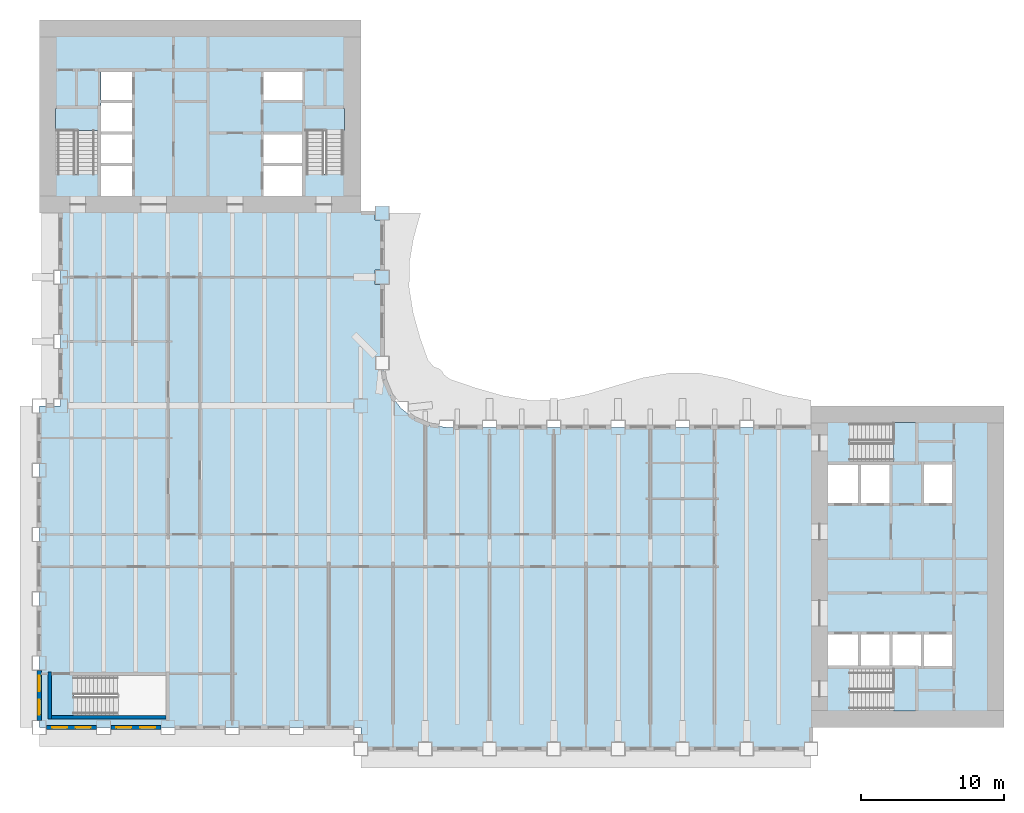
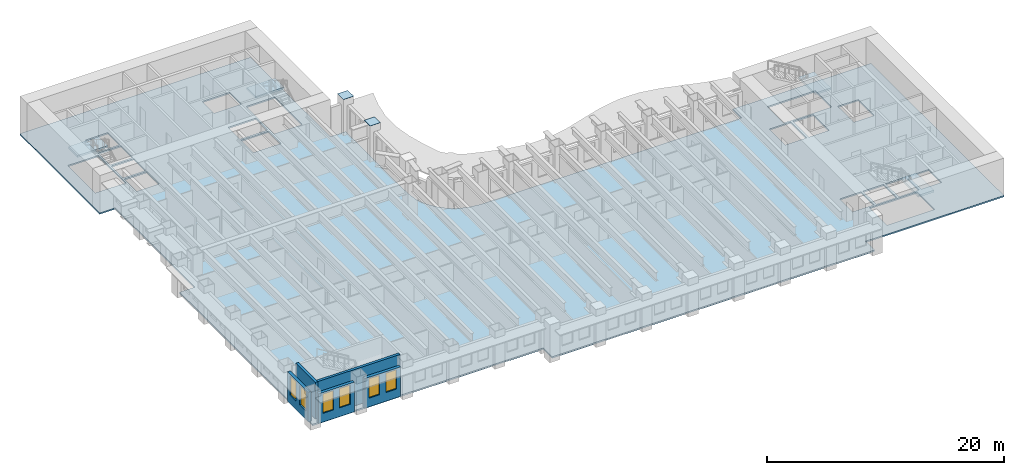
# One storey, part 2 of 16: 6 windows, 5 slabs, 5 walls, 2 plates, 6 openings, 4 elements without a shape of their own.
"""IFC4 building model written with IfcOpenShell, lengths in metres."""

from ifc_helpers import new_model, si_unit, direction, frame, frame_2d, origin, origin_2d, place, context, subcontext, project, spatial, polyline, rectangle, outline, extrude, material, layer, layer_set, type_object, element, fill, aggregate, save


model = new_model("IFC4")

# Units and contexts
model_context = context("Model", 3, precision=1e-05, world=origin(), true_north=direction((0.0, 1.0)))
body_context = subcontext(model_context, "Body", "Model", "MODEL_VIEW")
ifc_project = project(units=[si_unit("LENGTHUNIT", "METRE"), si_unit("AREAUNIT", "SQUARE_METRE"), si_unit("VOLUMEUNIT", "CUBIC_METRE"), si_unit("PLANEANGLEUNIT", "RADIAN"), si_unit("MASSUNIT", "GRAM", prefix="KILO")], contexts=[model_context])

# Site, building, storey
site_placement = place(None, origin())
site = spatial("IfcSite", under=ifc_project, at=site_placement, CompositionType="ELEMENT")
building_placement = place(site_placement, origin())
building = spatial("IfcBuilding", under=site, at=building_placement, Name="Sennacour Bend Tower", CompositionType="ELEMENT")
storey_placement = place(building_placement, frame((0.0, 0.0, 127.0)))
storey = spatial("IfcBuildingStorey", under=building, at=storey_placement, Name="L29", CompositionType="ELEMENT", Elevation=127.0)

# Plates
ifc_material_1 = material(Name="Steel ASTM A572 Grade 50", Category="steel")
ifc_layer_1 = layer(ifc_material_1, 0.02490234375, Name="Steel ASTM A572 Grade 50", Category="steel")
ifc_layer_set_1 = layer_set([ifc_layer_1], Name="Steel ASTM A572 Grade 50")
plate_type = type_object("IfcPlateType", Name="Column cap plate 1000", PredefinedType="USERDEFINED", material=ifc_layer_set_1)
for number, where, z_axis, x_axis, name in (
    (1, (24.0, 31.5, 3.75), (0.0, 0.0, 1.0), (1.0, 0.0, 0.0), "Column cap plate L29-018"),
    (2, (24.0, 36.0, 3.75), (0.0, 0.0, 1.0), (1.0, 0.0, 0.0), "Column cap plate L29-019"),
):
    element("IfcPlate", number, at=place(storey_placement, frame(where, z_axis=z_axis, x_axis=x_axis)), inside=storey, type_object=plate_type, Name=name, ObjectType="END PLATE", PredefinedType="USERDEFINED", context=body_context, shape_type="SweptSolid", body=[
        extrude(rectangle(XDim=1.0, YDim=1.0, at=origin_2d()), origin(), (0.0, 0.0, 1.0), 0.02490234375),
    ])

# Slab
ifc_material_2 = material(Name="Concrete C30/37", Category="concrete")
ifc_layer_2 = layer(ifc_material_2, 0.14990234375, Name="Concrete C30/37", Category="concrete")
ifc_layer_set_2 = layer_set([ifc_layer_2], Name="Concrete C30/37")
slab_type_1 = type_object("IfcSlabType", Name="Floor slab 150", PredefinedType="FLOOR", material=ifc_layer_set_2)
slab_1_placement = place(storey_placement, frame((0.0, 0.0, -0.14990234375)))
element("IfcSlab", 3, at=slab_1_placement, inside=storey, type_object=slab_type_1, Name="Floor slab L29-01", PredefinedType="FLOOR", context=body_context, shape_type="SweptSolid", body=[
    extrude(outline(polyline([(22.5, 0.0), (0.0, 0.0), (0.0, 22.5), (1.5, 22.5), (1.5, 36.0), (0.0, 36.0), (0.0, 49.5), (22.5, 49.5), (22.5, 36.0), (24.0, 36.0), (24.0, 25.5), (24.1533203125, 24.335205078125), (24.602783203125, 23.25), (25.318115234375, 22.318115234375), (26.25, 21.602783203125), (27.335205078125, 21.1533203125), (28.5, 21.0), (54.0, 21.0), (54.0, 22.5), (67.5, 22.5), (67.5, 0.0), (54.0, 0.0), (54.0, -1.5), (22.5, -1.5), (22.5, 0.0)]), holes=[polyline([(8.800048828125, 0.949951171875), (8.800048828125, 3.5), (2.429931640625, 3.5), (2.429931640625, 0.949951171875), (8.800048828125, 0.949951171875)]), polyline([(6.5, 37.199951171875), (6.5, 39.300048828125), (4.300048828125, 39.300048828125), (4.300048828125, 37.199951171875), (6.5, 37.199951171875)]), polyline([(18.39990234375, 37.199951171875), (18.39990234375, 39.300048828125), (15.699951171875, 39.300048828125), (15.699951171875, 37.199951171875), (18.39990234375, 37.199951171875)]), polyline([(6.5, 39.5), (6.5, 41.5), (4.300048828125, 41.5), (4.300048828125, 39.5), (6.5, 39.5)]), polyline([(18.39990234375, 39.5), (18.39990234375, 41.5), (15.699951171875, 41.5), (15.699951171875, 39.5), (18.39990234375, 39.5)]), polyline([(4.125, 38.72998046875), (4.125, 43.39990234375), (1.14990234375, 43.39990234375), (1.14990234375, 38.72998046875), (4.125, 38.72998046875)]), polyline([(21.35009765625, 38.72998046875), (21.35009765625, 43.39990234375), (18.574951171875, 43.39990234375), (18.574951171875, 38.72998046875), (21.35009765625, 38.72998046875)]), polyline([(4.300048828125, 41.699951171875), (6.5, 41.699951171875), (6.5, 43.699951171875), (4.300048828125, 43.699951171875), (4.300048828125, 41.699951171875)]), polyline([(4.300048828125, 43.89990234375), (6.5, 43.89990234375), (6.5, 45.89990234375), (4.300048828125, 45.89990234375), (4.300048828125, 43.89990234375)]), polyline([(18.39990234375, 43.89990234375), (18.39990234375, 45.89990234375), (15.699951171875, 45.89990234375), (15.699951171875, 43.89990234375), (18.39990234375, 43.89990234375)]), polyline([(61.39990234375, 1.14990234375), (61.39990234375, 4.125), (56.72998046875, 4.125), (56.72998046875, 1.14990234375), (61.39990234375, 1.14990234375)]), polyline([(57.300048828125, 4.300048828125), (57.300048828125, 6.5), (55.199951171875, 6.5), (55.199951171875, 4.300048828125), (57.300048828125, 4.300048828125)]), polyline([(57.5, 4.300048828125), (59.5, 4.300048828125), (59.5, 6.5), (57.5, 6.5), (57.5, 4.300048828125)]), polyline([(59.699951171875, 4.300048828125), (61.699951171875, 4.300048828125), (61.699951171875, 6.5), (59.699951171875, 6.5), (59.699951171875, 4.300048828125)]), polyline([(63.89990234375, 4.300048828125), (63.89990234375, 6.5), (61.89990234375, 6.5), (61.89990234375, 4.300048828125), (63.89990234375, 4.300048828125)]), polyline([(57.300048828125, 15.699951171875), (57.300048828125, 18.39990234375), (55.199951171875, 18.39990234375), (55.199951171875, 15.699951171875), (57.300048828125, 15.699951171875)]), polyline([(59.5, 15.699951171875), (59.5, 18.39990234375), (57.5, 18.39990234375), (57.5, 15.699951171875), (59.5, 15.699951171875)]), polyline([(61.89990234375, 15.699951171875), (63.89990234375, 15.699951171875), (63.89990234375, 18.39990234375), (61.89990234375, 18.39990234375), (61.89990234375, 15.699951171875)]), polyline([(56.72998046875, 18.574951171875), (61.39990234375, 18.574951171875), (61.39990234375, 21.35009765625), (56.72998046875, 21.35009765625), (56.72998046875, 18.574951171875)])]), origin(), (0.0, 0.0, 1.0), 0.14990234375),
])

# Stair, slab
ifc_material_3 = material(Name="Concrete C40/50", Category="concrete")
stair_type = type_object("IfcStairType", Name="ST-DOGLEG", PredefinedType="HALF_TURN_STAIR", material=ifc_material_3)
stair_1_placement = place(storey_placement, origin())
stair_1 = element("IfcStair", 4, at=stair_1_placement, inside=storey, type_object=stair_type, Name="L29 Exit stair A1", PredefinedType="HALF_TURN_STAIR")
ifc_layer_3 = layer(ifc_material_3, 0.199951171875, Name="Concrete C40/50", Category="concrete")
ifc_layer_set_3 = layer_set([ifc_layer_3], Name="Concrete C40/50")
slab_type_2 = type_object("IfcSlabType", Name="Stair landing 200", PredefinedType="LANDING", material=ifc_layer_set_3)
slab_2_placement = place(storey_placement, frame((0.0, 0.0, 1.800048828125)))
slab_2 = element("IfcSlab", 5, at=slab_2_placement, type_object=slab_type_2, Name="SA1 landing 1", PredefinedType="LANDING", context=body_context, shape_type="SweptSolid", body=[
    extrude(outline(polyline([(59.780029296875, 1.14990234375), (61.324951171875, 1.14990234375), (61.324951171875, 4.125), (59.780029296875, 4.125), (59.780029296875, 1.14990234375)])), origin(), (0.0, 0.0, 1.0), 0.199951171875),
])
aggregate(stair_1, [slab_2])

stair_2_placement = place(storey_placement, origin())
stair_2 = element("IfcStair", 6, at=stair_2_placement, inside=storey, type_object=stair_type, Name="L29 Exit stair A2", PredefinedType="HALF_TURN_STAIR")
slab_3_placement = place(storey_placement, frame((0.0, 0.0, 1.800048828125)))
slab_3 = element("IfcSlab", 7, at=slab_3_placement, type_object=slab_type_2, Name="SA2 landing 1", PredefinedType="LANDING", context=body_context, shape_type="SweptSolid", body=[
    extrude(outline(polyline([(59.780029296875, 18.574951171875), (61.324951171875, 18.574951171875), (61.324951171875, 21.35009765625), (59.780029296875, 21.35009765625), (59.780029296875, 18.574951171875)])), origin(), (0.0, 0.0, 1.0), 0.199951171875),
])
aggregate(stair_2, [slab_3])

stair_3_placement = place(storey_placement, origin())
stair_3 = element("IfcStair", 8, at=stair_3_placement, inside=storey, type_object=stair_type, Name="L29 Exit stair B1", PredefinedType="HALF_TURN_STAIR")
slab_4_placement = place(storey_placement, frame((0.0, 0.0, 1.800048828125)))
slab_4 = element("IfcSlab", 9, at=slab_4_placement, type_object=slab_type_2, Name="SB1 landing 1", PredefinedType="LANDING", context=body_context, shape_type="SweptSolid", body=[
    extrude(outline(polyline([(1.14990234375, 41.780029296875), (4.125, 41.780029296875), (4.125, 43.324951171875), (1.14990234375, 43.324951171875), (1.14990234375, 41.780029296875)])), origin(), (0.0, 0.0, 1.0), 0.199951171875),
])
aggregate(stair_3, [slab_4])

stair_4_placement = place(storey_placement, origin())
stair_4 = element("IfcStair", 10, at=stair_4_placement, inside=storey, type_object=stair_type, Name="L29 Exit stair B2", PredefinedType="HALF_TURN_STAIR")
slab_5_placement = place(storey_placement, frame((0.0, 0.0, 1.800048828125)))
slab_5 = element("IfcSlab", 11, at=slab_5_placement, type_object=slab_type_2, Name="SB2 landing 1", PredefinedType="LANDING", context=body_context, shape_type="SweptSolid", body=[
    extrude(outline(polyline([(18.574951171875, 41.780029296875), (21.35009765625, 41.780029296875), (21.35009765625, 43.324951171875), (18.574951171875, 43.324951171875), (18.574951171875, 41.780029296875)])), origin(), (0.0, 0.0, 1.0), 0.199951171875),
])
aggregate(stair_4, [slab_5])

# Wall, openings, windows
ifc_material_4 = material(Name="Warm limestone cladding", Category="masonry")
ifc_layer_4 = layer(ifc_material_4, 0.050048828125, Name="Warm limestone cladding", Category="masonry")
ifc_material_5 = material(Name="Precast concrete C40/50", Category="concrete")
ifc_layer_5 = layer(ifc_material_5, 0.25, Name="Precast concrete C40/50", Category="concrete")
ifc_layer_set_4 = layer_set([ifc_layer_4, ifc_layer_5], Name="Precast concrete C40/50 with limestone cladding")
wall_type_1 = type_object("IfcWallType", Name="STONE-CLAD PRECAST SPANDREL 300", PredefinedType="STANDARD", material=ifc_layer_set_4)
wall_1_placement = place(storey_placement, frame((0.0, 4.0, 0.0), z_axis=(0.0, 0.0, 1.0), x_axis=(0.0, -1.0, 0.0)))
wall_1 = element("IfcWall", 12, at=wall_1_placement, inside=storey, type_object=wall_type_1, Name="Stone spandrel and pier wall L29 21.04", PredefinedType="STANDARD", context=body_context, shape_type="SweptSolid", body=[
    extrude(rectangle(XDim=3.5, YDim=0.300048828125, at=frame_2d((1.75, 0.0))), origin(), (0.0, 0.0, 1.0), 3.053955078125),
])
opening_1_placement = place(wall_1_placement, frame((0.39990234375, 0.0, 0.89990234375)))
opening_1 = element("IfcOpeningElement", 13, at=opening_1_placement, cuts=wall_1, Name="Opening W13", PredefinedType="OPENING", context=body_context, shape_type="SweptSolid", body=[
    extrude(rectangle(XDim=1.050048828125, YDim=2.0, at=frame_2d((0.52490234375, 1.0))), frame((0.0, 0.16015625, 0.0), z_axis=(0.0, -1.0, 0.0), x_axis=(1.0, 0.0, 0.0)), (0.0, 0.0, 1.0), 0.320068359375),
])
opening_2_placement = place(wall_1_placement, frame((2.050048828125, 0.0, 0.89990234375)))
opening_2 = element("IfcOpeningElement", 14, at=opening_2_placement, cuts=wall_1, Name="Opening W13", PredefinedType="OPENING", context=body_context, shape_type="SweptSolid", body=[
    extrude(rectangle(XDim=1.050048828125, YDim=2.0, at=frame_2d((0.52490234375, 1.0))), frame((0.0, 0.16015625, 0.0), z_axis=(0.0, -1.0, 0.0), x_axis=(1.0, 0.0, 0.0)), (0.0, 0.0, 1.0), 0.320068359375),
])
ifc_material_6 = material(Name="Clear low-emissivity glass", Category="glass")
window_type = type_object("IfcWindowType", Name="WIN-RIBBON-1050x2000", PartitioningType="SINGLE_PANEL", PredefinedType="WINDOW", material=ifc_material_6)
window_1_placement = place(opening_1_placement, origin())
window_1 = element("IfcWindow", 15, at=window_1_placement, inside=storey, type_object=window_type, Name="Ribbon window L29 21.04.0", OverallHeight=2.0, OverallWidth=1.050048828125, PartitioningType="SINGLE_PANEL", PredefinedType="WINDOW", context=body_context, shape_type="SweptSolid", body=[
    extrude(rectangle(XDim=1.050048828125, YDim=2.0, at=frame_2d((0.52490234375, 1.0))), frame((0.0, 0.030029296875, 0.0), z_axis=(0.0, -1.0, 0.0), x_axis=(1.0, 0.0, 0.0)), (0.0, 0.0, 1.0), 0.06005859375),
])
fill(opening_1, window_1)
window_2_placement = place(opening_2_placement, origin())
window_2 = element("IfcWindow", 16, at=window_2_placement, inside=storey, type_object=window_type, Name="Ribbon window L29 21.04.1", OverallHeight=2.0, OverallWidth=1.050048828125, PartitioningType="SINGLE_PANEL", PredefinedType="WINDOW", context=body_context, shape_type="SweptSolid", body=[
    extrude(rectangle(XDim=1.050048828125, YDim=2.0, at=frame_2d((0.52490234375, 1.0))), frame((0.0, 0.030029296875, 0.0), z_axis=(0.0, -1.0, 0.0), x_axis=(1.0, 0.0, 0.0)), (0.0, 0.0, 1.0), 0.06005859375),
])
fill(opening_2, window_2)

wall_2_placement = place(storey_placement, frame((0.5, 0.0, 0.0), z_axis=(0.0, 0.0, 1.0), x_axis=(1.0, 0.0, 0.0)))
wall_2 = element("IfcWall", 17, at=wall_2_placement, inside=storey, type_object=wall_type_1, Name="Stone spandrel and pier wall L29 22.00", PredefinedType="STANDARD", context=body_context, shape_type="SweptSolid", body=[
    extrude(rectangle(XDim=3.5, YDim=0.300048828125, at=frame_2d((1.75, 0.0))), origin(), (0.0, 0.0, 1.0), 3.053955078125),
])
opening_3_placement = place(wall_2_placement, frame((0.39990234375, 0.0, 0.89990234375)))
opening_3 = element("IfcOpeningElement", 18, at=opening_3_placement, cuts=wall_2, Name="Opening W13", PredefinedType="OPENING", context=body_context, shape_type="SweptSolid", body=[
    extrude(rectangle(XDim=1.050048828125, YDim=2.0, at=frame_2d((0.52490234375, 1.0))), frame((0.0, 0.16015625, 0.0), z_axis=(0.0, -1.0, 0.0), x_axis=(1.0, 0.0, 0.0)), (0.0, 0.0, 1.0), 0.320068359375),
])
opening_4_placement = place(wall_2_placement, frame((2.050048828125, 0.0, 0.89990234375)))
opening_4 = element("IfcOpeningElement", 19, at=opening_4_placement, cuts=wall_2, Name="Opening W13", PredefinedType="OPENING", context=body_context, shape_type="SweptSolid", body=[
    extrude(rectangle(XDim=1.050048828125, YDim=2.0, at=frame_2d((0.52490234375, 1.0))), frame((0.0, 0.16015625, 0.0), z_axis=(0.0, -1.0, 0.0), x_axis=(1.0, 0.0, 0.0)), (0.0, 0.0, 1.0), 0.320068359375),
])
window_3_placement = place(opening_3_placement, origin())
window_3 = element("IfcWindow", 20, at=window_3_placement, inside=storey, type_object=window_type, Name="Ribbon window L29 22.00.0", OverallHeight=2.0, OverallWidth=1.050048828125, PartitioningType="SINGLE_PANEL", PredefinedType="WINDOW", context=body_context, shape_type="SweptSolid", body=[
    extrude(rectangle(XDim=1.050048828125, YDim=2.0, at=frame_2d((0.52490234375, 1.0))), frame((0.0, 0.030029296875, 0.0), z_axis=(0.0, -1.0, 0.0), x_axis=(1.0, 0.0, 0.0)), (0.0, 0.0, 1.0), 0.06005859375),
])
fill(opening_3, window_3)
window_4_placement = place(opening_4_placement, origin())
window_4 = element("IfcWindow", 21, at=window_4_placement, inside=storey, type_object=window_type, Name="Ribbon window L29 22.00.1", OverallHeight=2.0, OverallWidth=1.050048828125, PartitioningType="SINGLE_PANEL", PredefinedType="WINDOW", context=body_context, shape_type="SweptSolid", body=[
    extrude(rectangle(XDim=1.050048828125, YDim=2.0, at=frame_2d((0.52490234375, 1.0))), frame((0.0, 0.030029296875, 0.0), z_axis=(0.0, -1.0, 0.0), x_axis=(1.0, 0.0, 0.0)), (0.0, 0.0, 1.0), 0.06005859375),
])
fill(opening_4, window_4)

wall_3_placement = place(storey_placement, frame((5.0, 0.0, 0.0), z_axis=(0.0, 0.0, 1.0), x_axis=(1.0, 0.0, 0.0)))
wall_3 = element("IfcWall", 22, at=wall_3_placement, inside=storey, type_object=wall_type_1, Name="Stone spandrel and pier wall L29 22.01", PredefinedType="STANDARD", context=body_context, shape_type="SweptSolid", body=[
    extrude(rectangle(XDim=3.5, YDim=0.300048828125, at=frame_2d((1.75, 0.0))), origin(), (0.0, 0.0, 1.0), 3.053955078125),
])
opening_5_placement = place(wall_3_placement, frame((0.39990234375, 0.0, 0.89990234375)))
opening_5 = element("IfcOpeningElement", 23, at=opening_5_placement, cuts=wall_3, Name="Opening W13", PredefinedType="OPENING", context=body_context, shape_type="SweptSolid", body=[
    extrude(rectangle(XDim=1.050048828125, YDim=2.0, at=frame_2d((0.52490234375, 1.0))), frame((0.0, 0.16015625, 0.0), z_axis=(0.0, -1.0, 0.0), x_axis=(1.0, 0.0, 0.0)), (0.0, 0.0, 1.0), 0.320068359375),
])
opening_6_placement = place(wall_3_placement, frame((2.050048828125, 0.0, 0.89990234375)))
opening_6 = element("IfcOpeningElement", 24, at=opening_6_placement, cuts=wall_3, Name="Opening W13", PredefinedType="OPENING", context=body_context, shape_type="SweptSolid", body=[
    extrude(rectangle(XDim=1.050048828125, YDim=2.0, at=frame_2d((0.52490234375, 1.0))), frame((0.0, 0.16015625, 0.0), z_axis=(0.0, -1.0, 0.0), x_axis=(1.0, 0.0, 0.0)), (0.0, 0.0, 1.0), 0.320068359375),
])
window_5_placement = place(opening_5_placement, origin())
window_5 = element("IfcWindow", 25, at=window_5_placement, inside=storey, type_object=window_type, Name="Ribbon window L29 22.01.0", OverallHeight=2.0, OverallWidth=1.050048828125, PartitioningType="SINGLE_PANEL", PredefinedType="WINDOW", context=body_context, shape_type="SweptSolid", body=[
    extrude(rectangle(XDim=1.050048828125, YDim=2.0, at=frame_2d((0.52490234375, 1.0))), frame((0.0, 0.030029296875, 0.0), z_axis=(0.0, -1.0, 0.0), x_axis=(1.0, 0.0, 0.0)), (0.0, 0.0, 1.0), 0.06005859375),
])
fill(opening_5, window_5)
window_6_placement = place(opening_6_placement, origin())
window_6 = element("IfcWindow", 26, at=window_6_placement, inside=storey, type_object=window_type, Name="Ribbon window L29 22.01.1", OverallHeight=2.0, OverallWidth=1.050048828125, PartitioningType="SINGLE_PANEL", PredefinedType="WINDOW", context=body_context, shape_type="SweptSolid", body=[
    extrude(rectangle(XDim=1.050048828125, YDim=2.0, at=frame_2d((0.52490234375, 1.0))), frame((0.0, 0.030029296875, 0.0), z_axis=(0.0, -1.0, 0.0), x_axis=(1.0, 0.0, 0.0)), (0.0, 0.0, 1.0), 0.06005859375),
])
fill(opening_6, window_6)

# Walls
ifc_material_7 = material(Name="Concrete C60/75", Category="concrete")
ifc_layer_6 = layer(ifc_material_7, 0.25, Name="Concrete C60/75", Category="concrete")
ifc_layer_set_5 = layer_set([ifc_layer_6], Name="Concrete C60/75")
wall_type_2 = type_object("IfcWallType", Name="Stair wall 250", PredefinedType="SHEAR", material=ifc_layer_set_5)
wall_4_placement = place(storey_placement, frame((0.72509765625, 0.60009765625, 0.0), z_axis=(0.0, 0.0, 1.0), x_axis=(0.0, 1.0, 0.0)))
element("IfcWall", 27, at=wall_4_placement, inside=storey, type_object=wall_type_2, Name="P-L29-W002", PredefinedType="SHEAR", context=body_context, shape_type="SweptSolid", body=[
    extrude(rectangle(XDim=3.27490234375, YDim=0.25, at=frame_2d((1.637451171875, 0.0))), origin(), (0.0, 0.0, 1.0), 3.75),
])
wall_5_placement = place(storey_placement, frame((0.85009765625, 0.72509765625, 0.0), z_axis=(0.0, 0.0, 1.0), x_axis=(1.0, 0.0, 0.0)))
element("IfcWall", 28, at=wall_5_placement, inside=storey, type_object=wall_type_2, Name="P-L29-W049", PredefinedType="SHEAR", context=body_context, shape_type="SweptSolid", body=[
    extrude(rectangle(XDim=8.02490234375, YDim=0.25, at=frame_2d((4.012451171875, 0.0))), origin(), (0.0, 0.0, 1.0), 3.75),
])

save(model, "model.ifc")
